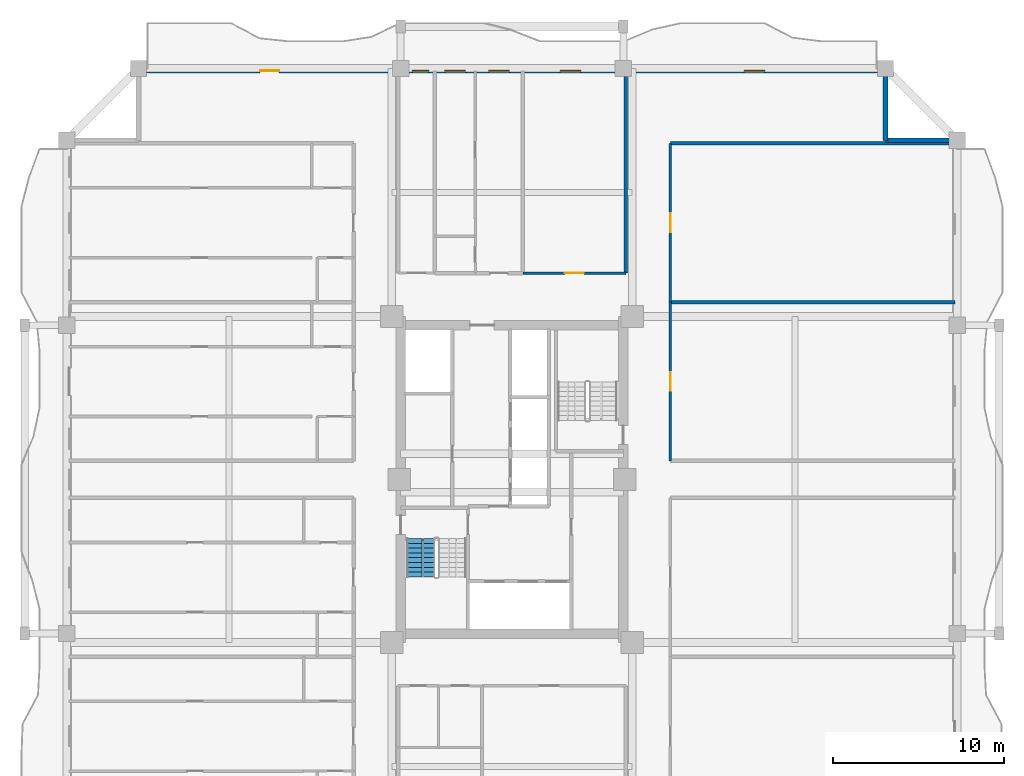
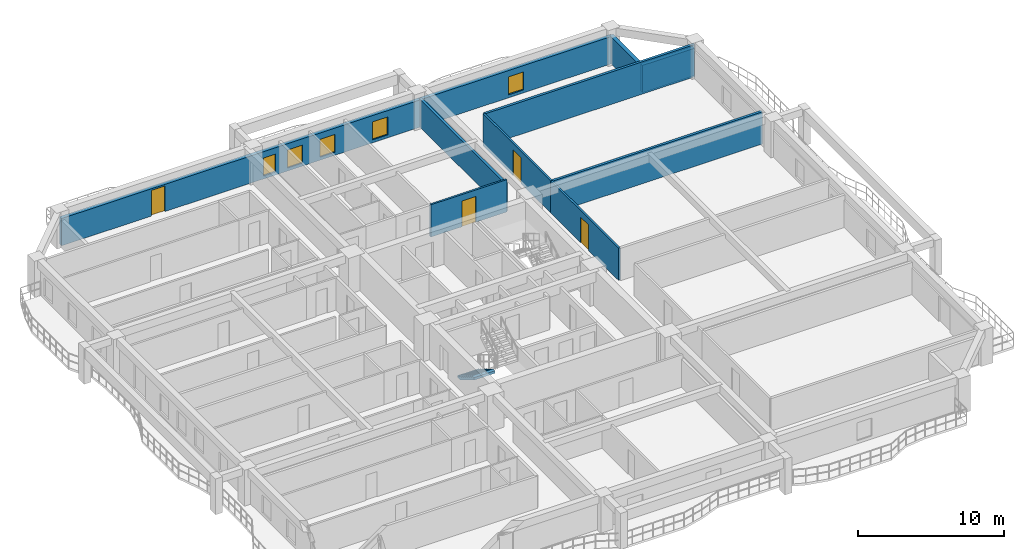
# One storey, part 6 of 11: 9 walls, 5 windows, 4 doors, 1 stair flight, 9 openings, 1 element without a shape of its own.
"""IFC4 building model written with IfcOpenShell, lengths in metres."""

from ifc_helpers import new_model, si_unit, direction, frame, frame_2d, origin, place, context, subcontext, project, spatial, polyline, rectangle, outline, extrude, source, transform, mapped, material, layer, layer_set, type_object, element, fill, aggregate, save


model = new_model("IFC4")

# Units and contexts
model_context = context("Model", 3, precision=1e-05, world=origin(), true_north=direction((0.0, 1.0)))
body_context = subcontext(model_context, "Body", "Model", "MODEL_VIEW")
ifc_project = project(units=[si_unit("LENGTHUNIT", "METRE"), si_unit("AREAUNIT", "SQUARE_METRE"), si_unit("VOLUMEUNIT", "CUBIC_METRE"), si_unit("PLANEANGLEUNIT", "RADIAN"), si_unit("MASSUNIT", "GRAM", prefix="KILO")], contexts=[model_context])

# Site, building, storey
site_placement = place(None, origin())
site = spatial("IfcSite", under=ifc_project, at=site_placement, CompositionType="ELEMENT")
building_placement = place(site_placement, origin())
building = spatial("IfcBuilding", under=site, at=building_placement, Name="Saelheon Loggia Tower", CompositionType="ELEMENT")
storey_placement = place(building_placement, frame((0.0, 0.0, 141.75)))
storey = spatial("IfcBuildingStorey", under=building, at=storey_placement, Name="L45", CompositionType="ELEMENT", Elevation=141.75)

# Wall, openings, windows, door
ifc_material_1 = material(Name="Architectural Precast Concrete C40/50", Category="concrete")
ifc_layer_1 = layer(ifc_material_1, 0.280029296875)
ifc_layer_set_1 = layer_set([ifc_layer_1], Name="Architectural Precast Concrete C40/50")
wall_type_1 = type_object("IfcWallType", Name="Wall_Ext_Loggia_280", PredefinedType="SOLIDWALL", material=ifc_layer_set_1)
wall_1_placement = place(storey_placement, frame((16.199951171875, 50.860107421875, 0.0), z_axis=(0.0, 0.0, 1.0), x_axis=(1.0, 0.0, 0.0)))
wall_1 = element("IfcWall", 1, at=wall_1_placement, inside=storey, type_object=wall_type_1, Name="L45 North Loggia Inner Wall", PredefinedType="SOLIDWALL", context=body_context, shape_type="SweptSolid", body=[
    extrude(rectangle(XDim=43.60009765625, YDim=0.280029296875, at=frame_2d((21.800048828125, 0.0))), origin(), (0.0, 0.0, 1.0), 2.280029296875),
])
opening_1_placement = place(wall_1_placement, frame((7.10009765625, 0.0, 0.0)))
opening_1 = element("IfcOpeningElement", 2, at=opening_1_placement, cuts=wall_1, Name="Opening TD1", PredefinedType="OPENING", context=body_context, shape_type="SweptSolid", body=[
    extrude(rectangle(XDim=1.10009765625, YDim=2.14990234375, at=frame_2d((0.550048828125, 1.074951171875))), frame((0.0, 0.152099609375, 0.0), z_axis=(0.0, -1.0, 0.0), x_axis=(1.0, 0.0, 0.0)), (0.0, 0.0, 1.0), 0.303955078125),
])
opening_2_placement = place(wall_1_placement, frame((15.982421875, 0.0, 0.25)))
opening_2 = element("IfcOpeningElement", 3, at=opening_2_placement, cuts=wall_1, Name="Opening WN-04", PredefinedType="OPENING", context=body_context, shape_type="SweptSolid", body=[
    extrude(rectangle(XDim=0.949951171875, YDim=1.5, at=frame_2d((0.47509765625, 0.75))), frame((0.0, 0.152099609375, 0.0), z_axis=(0.0, -1.0, 0.0), x_axis=(1.0, 0.0, 0.0)), (0.0, 0.0, 1.0), 0.303955078125),
])
opening_3_placement = place(wall_1_placement, frame((17.879638671875, 0.0, 0.25)))
opening_3 = element("IfcOpeningElement", 4, at=opening_3_placement, cuts=wall_1, Name="Opening WN-03", PredefinedType="OPENING", context=body_context, shape_type="SweptSolid", body=[
    extrude(rectangle(XDim=1.199951171875, YDim=1.5, at=frame_2d((0.60009765625, 0.75))), frame((0.0, 0.152099609375, 0.0), z_axis=(0.0, -1.0, 0.0), x_axis=(1.0, 0.0, 0.0)), (0.0, 0.0, 1.0), 0.303955078125),
])
opening_4_placement = place(wall_1_placement, frame((20.444091796875, 0.0, 0.25)))
opening_4 = element("IfcOpeningElement", 5, at=opening_4_placement, cuts=wall_1, Name="Opening WN-03", PredefinedType="OPENING", context=body_context, shape_type="SweptSolid", body=[
    extrude(rectangle(XDim=1.199951171875, YDim=1.5, at=frame_2d((0.60009765625, 0.75))), frame((0.0, 0.152099609375, 0.0), z_axis=(0.0, -1.0, 0.0), x_axis=(1.0, 0.0, 0.0)), (0.0, 0.0, 1.0), 0.303955078125),
])
opening_5_placement = place(wall_1_placement, frame((24.60693359375, 0.0, 0.25)))
opening_5 = element("IfcOpeningElement", 6, at=opening_5_placement, cuts=wall_1, Name="Opening WN-03", PredefinedType="OPENING", context=body_context, shape_type="SweptSolid", body=[
    extrude(rectangle(XDim=1.199951171875, YDim=1.5, at=frame_2d((0.60009765625, 0.75))), frame((0.0, 0.152099609375, 0.0), z_axis=(0.0, -1.0, 0.0), x_axis=(1.0, 0.0, 0.0)), (0.0, 0.0, 1.0), 0.303955078125),
])
opening_6_placement = place(wall_1_placement, frame((35.35009765625, 0.0, 0.25)))
opening_6 = element("IfcOpeningElement", 7, at=opening_6_placement, cuts=wall_1, Name="Opening WN-03", PredefinedType="OPENING", context=body_context, shape_type="SweptSolid", body=[
    extrude(rectangle(XDim=1.199951171875, YDim=1.5, at=frame_2d((0.60009765625, 0.75))), frame((0.0, 0.152099609375, 0.0), z_axis=(0.0, -1.0, 0.0), x_axis=(1.0, 0.0, 0.0)), (0.0, 0.0, 1.0), 0.303955078125),
])
ifc_material_2 = material(Name="Thermal-Break Aluminium and Triple Low-E Glass", Category="aluminium")
window_type_1 = type_object("IfcWindowType", Name="Win_Bedroom_1200x1500", PartitioningType="SINGLE_PANEL", PredefinedType="WINDOW", material=ifc_material_2)
shared_shape_1 = source(origin(), body_context, "Body", "SweptSolid", [
    extrude(rectangle(XDim=1.199951171875, YDim=1.5, at=frame_2d((0.60009765625, 0.75))), frame((0.0, 0.030029296875, 0.0), z_axis=(0.0, -1.0, 0.0), x_axis=(1.0, 0.0, 0.0)), (0.0, 0.0, 1.0), 0.06005859375),
])
window_1_placement = place(opening_3_placement, origin())
window_1 = element("IfcWindow", 8, at=window_1_placement, inside=storey, type_object=window_type_1, Name="L45 N Dwelling Window 3", OverallHeight=1.5, OverallWidth=1.199951171875, PartitioningType="SINGLE_PANEL", PredefinedType="WINDOW", context=body_context, shape_type="MappedRepresentation", body=[
    mapped(shared_shape_1, transform((0.0, 0.0, 0.0), scale=1.0)),
])
fill(opening_3, window_1)
window_2_placement = place(opening_4_placement, origin())
window_2 = element("IfcWindow", 9, at=window_2_placement, inside=storey, type_object=window_type_1, Name="L45 N Dwelling Window 4", OverallHeight=1.5, OverallWidth=1.199951171875, PartitioningType="SINGLE_PANEL", PredefinedType="WINDOW", context=body_context, shape_type="MappedRepresentation", body=[
    mapped(shared_shape_1, transform((0.0, 0.0, 0.0), scale=1.0)),
])
fill(opening_4, window_2)
window_3_placement = place(opening_5_placement, origin())
window_3 = element("IfcWindow", 10, at=window_3_placement, inside=storey, type_object=window_type_1, Name="L45 N Dwelling Window 5", OverallHeight=1.5, OverallWidth=1.199951171875, PartitioningType="SINGLE_PANEL", PredefinedType="WINDOW", context=body_context, shape_type="MappedRepresentation", body=[
    mapped(shared_shape_1, transform((0.0, 0.0, 0.0), scale=1.0)),
])
fill(opening_5, window_3)
window_4_placement = place(opening_6_placement, origin())
window_4 = element("IfcWindow", 11, at=window_4_placement, inside=storey, type_object=window_type_1, Name="L45 N Dwelling Window 6", OverallHeight=1.5, OverallWidth=1.199951171875, PartitioningType="SINGLE_PANEL", PredefinedType="WINDOW", context=body_context, shape_type="MappedRepresentation", body=[
    mapped(shared_shape_1, transform((0.0, 0.0, 0.0), scale=1.0)),
])
fill(opening_6, window_4)
ifc_material_3 = material(Name="Thermal-Break Aluminium Glazed Door", Category="aluminium")
door_type_1 = type_object("IfcDoorType", Name="Door_Terrace_TD1", OperationType="NOTDEFINED", PredefinedType="DOOR", material=ifc_material_3)
shared_shape_2 = source(origin(), body_context, "Body", "SweptSolid", [
    extrude(rectangle(XDim=1.10009765625, YDim=2.14990234375, at=frame_2d((0.550048828125, 1.074951171875))), frame((0.0, 0.02490234375, 0.0), z_axis=(0.0, -1.0, 0.0), x_axis=(1.0, 0.0, 0.0)), (0.0, 0.0, 1.0), 0.050048828125),
])
door_1_placement = place(opening_1_placement, origin())
door_1 = element("IfcDoor", 12, at=door_1_placement, inside=storey, type_object=door_type_1, Name="L45 N Loggia Access Door", OperationType="SINGLE_SWING_LEFT", OverallHeight=2.14990234375, OverallWidth=1.10009765625, PredefinedType="DOOR", context=body_context, shape_type="MappedRepresentation", body=[
    mapped(shared_shape_2, transform((0.0, 0.0, 0.0), scale=1.0)),
])
fill(opening_1, door_1)
window_type_2 = type_object("IfcWindowType", Name="Win_Narrow_950x1500", PartitioningType="SINGLE_PANEL", PredefinedType="WINDOW", material=ifc_material_2)
shared_shape_3 = source(origin(), body_context, "Body", "SweptSolid", [
    extrude(rectangle(XDim=0.949951171875, YDim=1.5, at=frame_2d((0.47509765625, 0.75))), frame((0.0, 0.030029296875, 0.0), z_axis=(0.0, -1.0, 0.0), x_axis=(1.0, 0.0, 0.0)), (0.0, 0.0, 1.0), 0.06005859375),
])
window_5_placement = place(opening_2_placement, origin())
window_5 = element("IfcWindow", 13, at=window_5_placement, inside=storey, type_object=window_type_2, Name="L45 N Dwelling Window 2", OverallHeight=1.5, OverallWidth=0.949951171875, PartitioningType="SINGLE_PANEL", PredefinedType="WINDOW", context=body_context, shape_type="MappedRepresentation", body=[
    mapped(shared_shape_3, transform((0.0, 0.0, 0.0), scale=1.0)),
])
fill(opening_2, window_5)

# Walls
for number, where, z_axis, x_axis, name in (
    (14, (59.800048828125, 46.800048828125, 0.0), (0.0, 0.0, 1.0), (0.0, 1.0, 0.0), "L45 Corner Notch Precast Wall NE1"),
    (15, (59.800048828125, 46.800048828125, 0.0), (0.0, 0.0, 1.0), (1.0, 0.0, 0.0), "L45 Corner Notch Precast Wall NE2"),
):
    element("IfcWall", number, at=place(storey_placement, frame(where, z_axis=z_axis, x_axis=x_axis)), inside=storey, type_object=wall_type_1, Name=name, PredefinedType="SOLIDWALL", context=body_context, shape_type="SweptSolid", body=[
        extrude(rectangle(XDim=4.119873046875, YDim=0.280029296875, at=frame_2d((2.06005859375, 0.0))), origin(), (0.0, 0.0, 1.0), 2.280029296875),
    ])

# Wall, opening, door
ifc_material_4 = material(Name="Lightweight Autoclaved Aerated Concrete Block and Acoustic Gypsum", Category="concrete")
ifc_layer_2 = layer(ifc_material_4, 0.14990234375)
ifc_layer_set_2 = layer_set([ifc_layer_2], Name="Lightweight Autoclaved Aerated Concrete Block and Acoustic Gypsum")
wall_type_2 = type_object("IfcWallType", Name="Wall_Part_150", PredefinedType="PARTITIONING", material=ifc_layer_set_2)
wall_2_placement = place(storey_placement, frame((38.62890625, 39.050048828125, 0.0), z_axis=(0.0, 0.0, 1.0), x_axis=(1.0, 0.0, 0.0)))
wall_2 = element("IfcWall", 16, at=wall_2_placement, inside=storey, type_object=wall_type_2, Name="L45 N Partition V12", PredefinedType="PARTITIONING", context=body_context, shape_type="SweptSolid", body=[
    extrude(rectangle(XDim=6.02099609375, YDim=0.14990234375, at=frame_2d((3.010498046875, 0.0))), origin(), (0.0, 0.0, 1.0), 2.699951171875),
])
opening_7_placement = place(wall_2_placement, frame((2.46044921875, 0.0, 0.0)))
opening_7 = element("IfcOpeningElement", 17, at=opening_7_placement, cuts=wall_2, Name="Opening D-FD2", PredefinedType="OPENING", context=body_context, shape_type="SweptSolid", body=[
    extrude(rectangle(XDim=1.10009765625, YDim=2.14990234375, at=frame_2d((0.550048828125, 1.074951171875))), frame((0.0, 0.0869140625, 0.0), z_axis=(0.0, -1.0, 0.0), x_axis=(1.0, 0.0, 0.0)), (0.0, 0.0, 1.0), 0.173828125),
])
ifc_material_5 = material(Name="Galvanised Steel Fire Door", Category="steel")
door_type_2 = type_object("IfcDoorType", Name="Door_Fire_FD60_1100", OperationType="NOTDEFINED", PredefinedType="DOOR", material=ifc_material_5)
door_2_placement = place(opening_7_placement, origin())
door_2 = element("IfcDoor", 18, at=door_2_placement, inside=storey, type_object=door_type_2, Name="L45 Community Reading Library Door A", OperationType="SINGLE_SWING_LEFT", OverallHeight=2.14990234375, OverallWidth=1.10009765625, PredefinedType="DOOR", context=body_context, shape_type="MappedRepresentation", body=[
    mapped(shared_shape_2, transform((0.0, 0.0, 0.0), scale=1.0)),
])
fill(opening_7, door_2)

wall_3_placement = place(storey_placement, frame((47.25, 28.080078125, 0.0), z_axis=(0.0, 0.0, 1.0), x_axis=(0.0, 1.0, 0.0)))
wall_3 = element("IfcWall", 19, at=wall_3_placement, inside=storey, type_object=wall_type_2, Name="L45 EN Partition V03", PredefinedType="PARTITIONING", context=body_context, shape_type="SweptSolid", body=[
    extrude(rectangle(XDim=9.27001953125, YDim=0.14990234375, at=frame_2d((4.635009765625, 0.0))), origin(), (0.0, 0.0, 1.0), 2.699951171875),
])
opening_8_placement = place(wall_3_placement, frame((4.0849609375, 0.0, 0.0)))
opening_8 = element("IfcOpeningElement", 20, at=opening_8_placement, cuts=wall_3, Name="Opening D-FD2", PredefinedType="OPENING", context=body_context, shape_type="SweptSolid", body=[
    extrude(rectangle(XDim=1.10009765625, YDim=2.14990234375, at=frame_2d((0.550048828125, 1.074951171875))), frame((0.0, 0.0869140625, 0.0), z_axis=(0.0, -1.0, 0.0), x_axis=(1.0, 0.0, 0.0)), (0.0, 0.0, 1.0), 0.173828125),
])
door_3_placement = place(opening_8_placement, origin())
door_3 = element("IfcDoor", 21, at=door_3_placement, inside=storey, type_object=door_type_2, Name="L45 Co-Working Open Plan Office Door A", OperationType="SINGLE_SWING_RIGHT", OverallHeight=2.14990234375, OverallWidth=1.10009765625, PredefinedType="DOOR", context=body_context, shape_type="MappedRepresentation", body=[
    mapped(shared_shape_2, transform((0.0, 0.0, 0.0), scale=1.0)),
])
fill(opening_8, door_3)

wall_4_placement = place(storey_placement, frame((47.25, 37.35009765625, 0.0), z_axis=(0.0, 0.0, 1.0), x_axis=(0.0, 1.0, 0.0)))
wall_4 = element("IfcWall", 22, at=wall_4_placement, inside=storey, type_object=wall_type_2, Name="L45 EN Partition V05", PredefinedType="PARTITIONING", context=body_context, shape_type="SweptSolid", body=[
    extrude(rectangle(XDim=9.27001953125, YDim=0.14990234375, at=frame_2d((4.635009765625, 0.0))), origin(), (0.0, 0.0, 1.0), 2.699951171875),
])
opening_9_placement = place(wall_4_placement, frame((4.0849609375, 0.0, 0.0)))
opening_9 = element("IfcOpeningElement", 23, at=opening_9_placement, cuts=wall_4, Name="Opening D-FD2", PredefinedType="OPENING", context=body_context, shape_type="SweptSolid", body=[
    extrude(rectangle(XDim=1.10009765625, YDim=2.14990234375, at=frame_2d((0.550048828125, 1.074951171875))), frame((0.0, 0.0869140625, 0.0), z_axis=(0.0, -1.0, 0.0), x_axis=(1.0, 0.0, 0.0)), (0.0, 0.0, 1.0), 0.173828125),
])
door_4_placement = place(opening_9_placement, origin())
door_4 = element("IfcDoor", 24, at=door_4_placement, inside=storey, type_object=door_type_2, Name="L45 Co-Working Open Plan Office Door A", OperationType="SINGLE_SWING_LEFT", OverallHeight=2.14990234375, OverallWidth=1.10009765625, PredefinedType="DOOR", context=body_context, shape_type="MappedRepresentation", body=[
    mapped(shared_shape_2, transform((0.0, 0.0, 0.0), scale=1.0)),
])
fill(opening_9, door_4)

# Walls
ifc_material_6 = material(Name="Double Acoustic Stud and Fireboard Partition", Category="gypsum")
ifc_layer_3 = layer(ifc_material_6, 0.199951171875)
ifc_layer_set_3 = layer_set([ifc_layer_3], Name="Double Acoustic Stud and Fireboard Partition")
wall_type_3 = type_object("IfcWallType", Name="Wall_Party_200", PredefinedType="PARTITIONING", material=ifc_layer_set_3)
wall_5_placement = place(storey_placement, frame((44.64990234375, 39.050048828125, 0.0), z_axis=(0.0, 0.0, 1.0), x_axis=(0.0, 1.0, 0.0)))
element("IfcWall", 25, at=wall_5_placement, inside=storey, type_object=wall_type_3, Name="L45 N Partition U02", PredefinedType="PARTITIONING", context=body_context, shape_type="SweptSolid", body=[
    extrude(rectangle(XDim=11.800048828125, YDim=0.199951171875, at=frame_2d((5.89990234375, 0.0))), origin(), (0.0, 0.0, 1.0), 2.340087890625),
])
for number, where, z_axis, x_axis, name in (
    (26, (47.25, 46.6201171875, 0.0), (0.0, 0.0, 1.0), (1.0, 0.0, 0.0), "L45 EN Partition U02"),
    (27, (47.25, 37.35009765625, 0.0), (0.0, 0.0, 1.0), (1.0, 0.0, 0.0), "L45 EN Partition U04"),
):
    element("IfcWall", number, at=place(storey_placement, frame(where, z_axis=z_axis, x_axis=x_axis)), inside=storey, type_object=wall_type_3, Name=name, PredefinedType="PARTITIONING", context=body_context, shape_type="SweptSolid", body=[
        extrude(rectangle(XDim=16.60009765625, YDim=0.199951171875, at=frame_2d((8.300048828125, 0.0))), origin(), (0.0, 0.0, 1.0), 2.699951171875),
    ])

# Stair, stair flight
ifc_material_7 = material(Name="Concrete C40/50", Category="concrete")
stair_type = type_object("IfcStairType", Name="Stair_Escape_Core", PredefinedType="HALF_TURN_STAIR", material=ifc_material_7)
stair_placement = place(storey_placement, origin())
stair = element("IfcStair", 28, at=stair_placement, inside=storey, type_object=stair_type, Name="L45 Special Escape Stair ST1", PredefinedType="HALF_TURN_STAIR")
stair_flight_type = type_object("IfcStairFlightType", Name="StairFlight_Tower_1660", PredefinedType="STRAIGHT", material=ifc_material_7)
stair_flight_placement = place(storey_placement, frame((32.679931640625, 23.550048828125, 0.0), z_axis=(0.0, 0.0, 1.0), x_axis=(0.0, -1.0, 0.0)))
stair_flight = element("IfcStairFlight", 29, at=stair_flight_placement, type_object=stair_flight_type, Name="ST1 flight 1", NumberOfRisers=9, NumberOfTreads=8, PredefinedType="STRAIGHT", RiserHeight=0.166666667, TreadLength=0.28, context=body_context, shape_type="SweptSolid", body=[
    extrude(outline(polyline([(0.0, 0.0), (0.0, 0.166748046875), (0.280029296875, 0.166748046875), (0.280029296875, 0.333251953125), (0.56005859375, 0.333251953125), (0.56005859375, 0.5), (0.840087890625, 0.5), (0.840087890625, 0.666748046875), (1.1201171875, 0.666748046875), (1.1201171875, 0.833251953125), (1.39990234375, 0.833251953125), (1.39990234375, 1.0), (1.679931640625, 1.0), (1.679931640625, 1.166748046875), (1.9599609375, 1.166748046875), (1.9599609375, 1.333251953125), (2.239990234375, 1.333251953125), (2.239990234375, 1.5), (2.239990234375, 1.1240234375), (0.351806640625, 0.0), (0.0, 0.0)])), frame((0.0, -0.2490234375, 0.0), z_axis=(0.0, -1.0, 0.0), x_axis=(1.0, 0.0, 0.0)), (0.0, 0.0, 1.0), 0.5810546875),
    extrude(outline(polyline([(0.0, 0.0), (0.0, 0.166748046875), (0.280029296875, 0.166748046875), (0.280029296875, 0.333251953125), (0.56005859375, 0.333251953125), (0.56005859375, 0.5), (0.840087890625, 0.5), (0.840087890625, 0.666748046875), (1.1201171875, 0.666748046875), (1.1201171875, 0.833251953125), (1.39990234375, 0.833251953125), (1.39990234375, 1.0), (1.679931640625, 1.0), (1.679931640625, 1.166748046875), (1.9599609375, 1.166748046875), (1.9599609375, 1.333251953125), (2.239990234375, 1.333251953125), (2.239990234375, 1.5), (2.239990234375, 1.1240234375), (0.351806640625, 0.0), (0.0, 0.0)])), frame((0.0, -0.194091796875, 0.0), z_axis=(0.0, -1.0, 0.0), x_axis=(1.0, 0.0, 0.0)), (0.0, 0.0, 1.0), 0.0498046875),
    extrude(outline(polyline([(0.0, 0.0), (0.0, 0.166748046875), (0.280029296875, 0.166748046875), (0.280029296875, 0.333251953125), (0.56005859375, 0.333251953125), (0.56005859375, 0.5), (0.840087890625, 0.5), (0.840087890625, 0.666748046875), (1.1201171875, 0.666748046875), (1.1201171875, 0.833251953125), (1.39990234375, 0.833251953125), (1.39990234375, 1.0), (1.679931640625, 1.0), (1.679931640625, 1.166748046875), (1.9599609375, 1.166748046875), (1.9599609375, 1.333251953125), (2.239990234375, 1.333251953125), (2.239990234375, 1.5), (2.239990234375, 1.1240234375), (0.351806640625, 0.0), (0.0, 0.0)])), frame((0.0, -0.139404296875, 0.0), z_axis=(0.0, -1.0, 0.0), x_axis=(1.0, 0.0, 0.0)), (0.0, 0.0, 1.0), 0.0498046875),
    extrude(outline(polyline([(0.0, 0.0), (0.0, 0.166748046875), (0.280029296875, 0.166748046875), (0.280029296875, 0.333251953125), (0.56005859375, 0.333251953125), (0.56005859375, 0.5), (0.840087890625, 0.5), (0.840087890625, 0.666748046875), (1.1201171875, 0.666748046875), (1.1201171875, 0.833251953125), (1.39990234375, 0.833251953125), (1.39990234375, 1.0), (1.679931640625, 1.0), (1.679931640625, 1.166748046875), (1.9599609375, 1.166748046875), (1.9599609375, 1.333251953125), (2.239990234375, 1.333251953125), (2.239990234375, 1.5), (2.239990234375, 1.1240234375), (0.351806640625, 0.0), (0.0, 0.0)])), frame((0.0, -0.084716796875, 0.0), z_axis=(0.0, -1.0, 0.0), x_axis=(1.0, 0.0, 0.0)), (0.0, 0.0, 1.0), 0.0498046875),
    extrude(outline(polyline([(0.0, 0.0), (0.0, 0.166748046875), (0.280029296875, 0.166748046875), (0.280029296875, 0.333251953125), (0.56005859375, 0.333251953125), (0.56005859375, 0.5), (0.840087890625, 0.5), (0.840087890625, 0.666748046875), (1.1201171875, 0.666748046875), (1.1201171875, 0.833251953125), (1.39990234375, 0.833251953125), (1.39990234375, 1.0), (1.679931640625, 1.0), (1.679931640625, 1.166748046875), (1.9599609375, 1.166748046875), (1.9599609375, 1.333251953125), (2.239990234375, 1.333251953125), (2.239990234375, 1.5), (2.239990234375, 1.1240234375), (0.351806640625, 0.0), (0.0, 0.0)])), frame((0.0, -0.02978515625, 0.0), z_axis=(0.0, -1.0, 0.0), x_axis=(1.0, 0.0, 0.0)), (0.0, 0.0, 1.0), 0.0498046875),
    extrude(outline(polyline([(0.0, 0.0), (0.0, 0.166748046875), (0.280029296875, 0.166748046875), (0.280029296875, 0.333251953125), (0.56005859375, 0.333251953125), (0.56005859375, 0.5), (0.840087890625, 0.5), (0.840087890625, 0.666748046875), (1.1201171875, 0.666748046875), (1.1201171875, 0.833251953125), (1.39990234375, 0.833251953125), (1.39990234375, 1.0), (1.679931640625, 1.0), (1.679931640625, 1.166748046875), (1.9599609375, 1.166748046875), (1.9599609375, 1.333251953125), (2.239990234375, 1.333251953125), (2.239990234375, 1.5), (2.239990234375, 1.1240234375), (0.351806640625, 0.0), (0.0, 0.0)])), frame((0.0, 0.02490234375, 0.0), z_axis=(0.0, -1.0, 0.0), x_axis=(1.0, 0.0, 0.0)), (0.0, 0.0, 1.0), 0.0498046875),
    extrude(outline(polyline([(0.0, 0.0), (0.0, 0.166748046875), (0.280029296875, 0.166748046875), (0.280029296875, 0.333251953125), (0.56005859375, 0.333251953125), (0.56005859375, 0.5), (0.840087890625, 0.5), (0.840087890625, 0.666748046875), (1.1201171875, 0.666748046875), (1.1201171875, 0.833251953125), (1.39990234375, 0.833251953125), (1.39990234375, 1.0), (1.679931640625, 1.0), (1.679931640625, 1.166748046875), (1.9599609375, 1.166748046875), (1.9599609375, 1.333251953125), (2.239990234375, 1.333251953125), (2.239990234375, 1.5), (2.239990234375, 1.1240234375), (0.351806640625, 0.0), (0.0, 0.0)])), frame((0.0, 0.07958984375, 0.0), z_axis=(0.0, -1.0, 0.0), x_axis=(1.0, 0.0, 0.0)), (0.0, 0.0, 1.0), 0.0498046875),
    extrude(outline(polyline([(0.0, 0.0), (0.0, 0.166748046875), (0.280029296875, 0.166748046875), (0.280029296875, 0.333251953125), (0.56005859375, 0.333251953125), (0.56005859375, 0.5), (0.840087890625, 0.5), (0.840087890625, 0.666748046875), (1.1201171875, 0.666748046875), (1.1201171875, 0.833251953125), (1.39990234375, 0.833251953125), (1.39990234375, 1.0), (1.679931640625, 1.0), (1.679931640625, 1.166748046875), (1.9599609375, 1.166748046875), (1.9599609375, 1.333251953125), (2.239990234375, 1.333251953125), (2.239990234375, 1.5), (2.239990234375, 1.1240234375), (0.351806640625, 0.0), (0.0, 0.0)])), frame((0.0, 0.134521484375, 0.0), z_axis=(0.0, -1.0, 0.0), x_axis=(1.0, 0.0, 0.0)), (0.0, 0.0, 1.0), 0.0498046875),
    extrude(outline(polyline([(0.0, 0.0), (0.0, 0.166748046875), (0.280029296875, 0.166748046875), (0.280029296875, 0.333251953125), (0.56005859375, 0.333251953125), (0.56005859375, 0.5), (0.840087890625, 0.5), (0.840087890625, 0.666748046875), (1.1201171875, 0.666748046875), (1.1201171875, 0.833251953125), (1.39990234375, 0.833251953125), (1.39990234375, 1.0), (1.679931640625, 1.0), (1.679931640625, 1.166748046875), (1.9599609375, 1.166748046875), (1.9599609375, 1.333251953125), (2.239990234375, 1.333251953125), (2.239990234375, 1.5), (2.239990234375, 1.1240234375), (0.351806640625, 0.0), (0.0, 0.0)])), frame((0.0, 0.189208984375, 0.0), z_axis=(0.0, -1.0, 0.0), x_axis=(1.0, 0.0, 0.0)), (0.0, 0.0, 1.0), 0.0498046875),
    extrude(outline(polyline([(0.0, 0.0), (0.0, 0.166748046875), (0.280029296875, 0.166748046875), (0.280029296875, 0.333251953125), (0.56005859375, 0.333251953125), (0.56005859375, 0.5), (0.840087890625, 0.5), (0.840087890625, 0.666748046875), (1.1201171875, 0.666748046875), (1.1201171875, 0.833251953125), (1.39990234375, 0.833251953125), (1.39990234375, 1.0), (1.679931640625, 1.0), (1.679931640625, 1.166748046875), (1.9599609375, 1.166748046875), (1.9599609375, 1.333251953125), (2.239990234375, 1.333251953125), (2.239990234375, 1.5), (2.239990234375, 1.1240234375), (0.351806640625, 0.0), (0.0, 0.0)])), frame((0.0, 0.243896484375, 0.0), z_axis=(0.0, -1.0, 0.0), x_axis=(1.0, 0.0, 0.0)), (0.0, 0.0, 1.0), 0.0498046875),
    extrude(outline(polyline([(0.0, 0.0), (0.0, 0.166748046875), (0.280029296875, 0.166748046875), (0.280029296875, 0.333251953125), (0.56005859375, 0.333251953125), (0.56005859375, 0.5), (0.840087890625, 0.5), (0.840087890625, 0.666748046875), (1.1201171875, 0.666748046875), (1.1201171875, 0.833251953125), (1.39990234375, 0.833251953125), (1.39990234375, 1.0), (1.679931640625, 1.0), (1.679931640625, 1.166748046875), (1.9599609375, 1.166748046875), (1.9599609375, 1.333251953125), (2.239990234375, 1.333251953125), (2.239990234375, 1.5), (2.239990234375, 1.1240234375), (0.351806640625, 0.0), (0.0, 0.0)])), frame((0.0, 0.830078125, 0.0), z_axis=(0.0, -1.0, 0.0), x_axis=(1.0, 0.0, 0.0)), (0.0, 0.0, 1.0), 0.5810546875),
])
aggregate(stair, [stair_flight])

save(model, "model.ifc")
